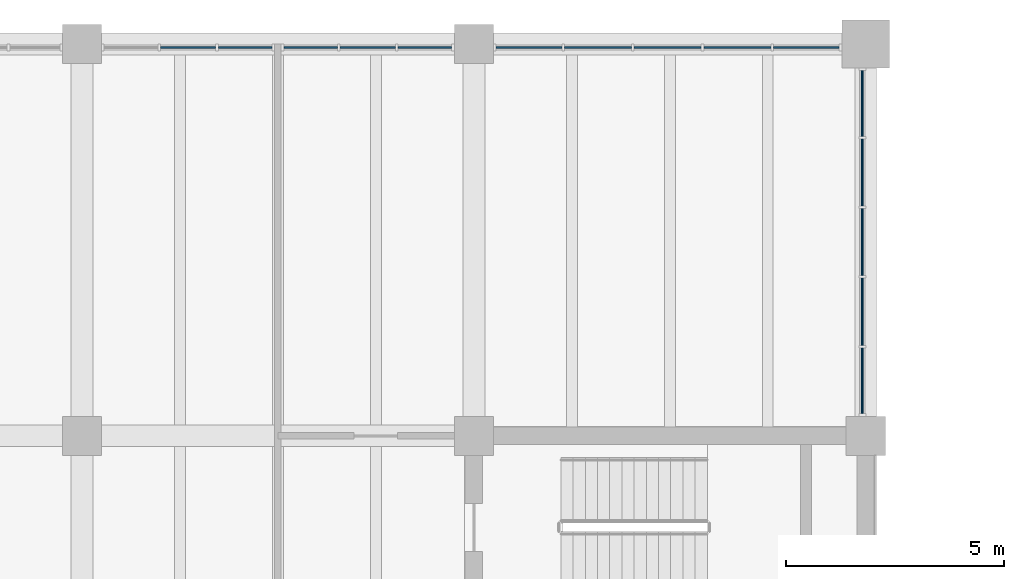
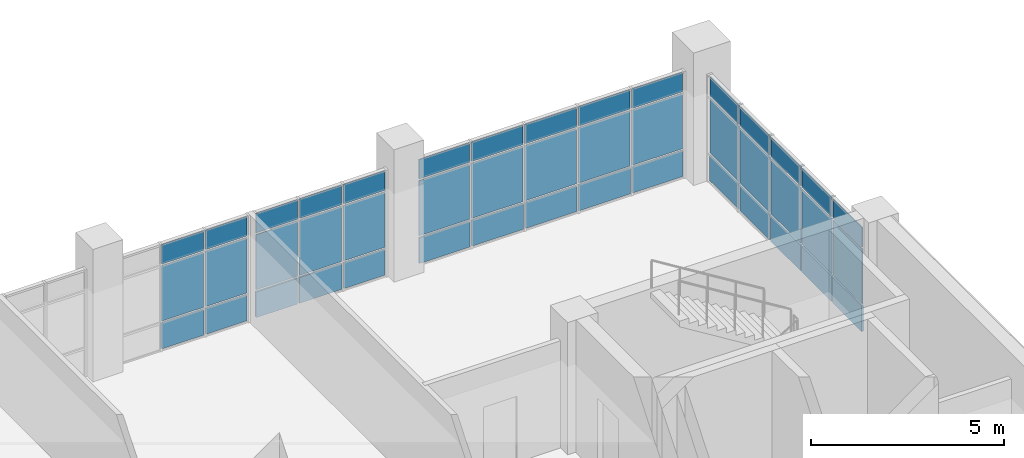
# One storey, part 46 of 92: 45 plates, 4 elements without a shape of their own.
"""IFC4 building model written with IfcOpenShell, lengths in metres."""

from ifc_helpers import new_model, si_unit, direction, frame, origin, origin_2d, place, context, subcontext, project, spatial, rectangle, extrude, material, layer, layer_set, type_object, element, aggregate, save


model = new_model("IFC4")

# Units and contexts
model_context = context("Model", 3, precision=1e-05, world=origin(), true_north=direction((0.0, 1.0)))
body_context = subcontext(model_context, "Body", "Model", "MODEL_VIEW")
ifc_project = project(units=[si_unit("LENGTHUNIT", "METRE"), si_unit("AREAUNIT", "SQUARE_METRE"), si_unit("VOLUMEUNIT", "CUBIC_METRE"), si_unit("PLANEANGLEUNIT", "RADIAN"), si_unit("MASSUNIT", "GRAM", prefix="KILO")], contexts=[model_context])

# Site, building, storey
site_placement = place(None, origin())
site = spatial("IfcSite", under=ifc_project, at=site_placement, CompositionType="ELEMENT")
building_placement = place(site_placement, origin())
building = spatial("IfcBuilding", under=site, at=building_placement, Name="Merrow Basin Faculty of Sciences", CompositionType="ELEMENT")
storey_placement = place(building_placement, frame((0.0, 0.0, 4.5)))
storey = spatial("IfcBuildingStorey", under=building, at=storey_placement, Name="L01", CompositionType="ELEMENT", Elevation=4.5)

# Curtain wall, plates
ifc_material_1 = material(Name="Aluminium alloy 6063", Category="aluminium")
curtain_wall_type = type_object("IfcCurtainWallType", Name="Unitised curtain wall 160", PredefinedType="NOTDEFINED", material=ifc_material_1)
curtain_wall_1_placement = place(storey_placement, origin())
curtain_wall_1 = element("IfcCurtainWall", 1, at=curtain_wall_1_placement, inside=storey, type_object=curtain_wall_type, Name="N curtain wall L01 4", PredefinedType="NOTDEFINED")
ifc_material_2 = material(Name="Insulated aluminium spandrel panel", Category="aluminium")
ifc_layer_1 = layer(ifc_material_2, 0.052001953125)
ifc_layer_set_1 = layer_set([ifc_layer_1], Name="Insulated spandrel panel 52")
plate_type_1 = type_object("IfcPlateType", Name="Insulated spandrel panel 52", PredefinedType="CURTAIN_PANEL", material=ifc_layer_set_1)
plate_1_placement = place(storey_placement, frame((38.4375, 168.919921875, 0.06005859375), z_axis=(0.0, 0.0, 1.0), x_axis=(1.0, 0.0, 0.0)))
plate_1 = element("IfcPlate", 2, at=plate_1_placement, type_object=plate_type_1, Name="CW3 panel 2.1", PredefinedType="CURTAIN_PANEL", context=body_context, shape_type="SweptSolid", body=[
    extrude(rectangle(XDim=1.264892578125, YDim=0.052001953125, at=origin_2d()), origin(), (0.0, 0.0, 1.0), 0.81005859375),
])
plate_2_placement = place(storey_placement, frame((39.74755859375, 168.919921875, 0.06005859375), z_axis=(0.0, 0.0, 1.0), x_axis=(1.0, 0.0, 0.0)))
plate_2 = element("IfcPlate", 3, at=plate_2_placement, type_object=plate_type_1, Name="CW3 panel 3.1", PredefinedType="CURTAIN_PANEL", context=body_context, shape_type="SweptSolid", body=[
    extrude(rectangle(XDim=1.235107421875, YDim=0.052001953125, at=origin_2d()), origin(), (0.0, 0.0, 1.0), 0.81005859375),
])

curtain_wall_2_placement = place(storey_placement, origin())
curtain_wall_2 = element("IfcCurtainWall", 4, at=curtain_wall_2_placement, inside=storey, type_object=curtain_wall_type, Name="N curtain wall L01 5", PredefinedType="NOTDEFINED")
plate_3_placement = place(storey_placement, frame((41.25244140625, 168.919921875, 0.06005859375), z_axis=(0.0, 0.0, 1.0), x_axis=(1.0, 0.0, 0.0)))
plate_3 = element("IfcPlate", 5, at=plate_3_placement, type_object=plate_type_1, Name="CW3 panel 1.1", PredefinedType="CURTAIN_PANEL", context=body_context, shape_type="SweptSolid", body=[
    extrude(rectangle(XDim=1.235107421875, YDim=0.052001953125, at=origin_2d()), origin(), (0.0, 0.0, 1.0), 0.81005859375),
])
plate_4_placement = place(storey_placement, frame((42.5625, 168.919921875, 0.06005859375), z_axis=(0.0, 0.0, 1.0), x_axis=(1.0, 0.0, 0.0)))
plate_4 = element("IfcPlate", 6, at=plate_4_placement, type_object=plate_type_1, Name="CW3 panel 2.1", PredefinedType="CURTAIN_PANEL", context=body_context, shape_type="SweptSolid", body=[
    extrude(rectangle(XDim=1.264892578125, YDim=0.052001953125, at=origin_2d()), origin(), (0.0, 0.0, 1.0), 0.81005859375),
])
plate_5_placement = place(storey_placement, frame((43.87255859375, 168.919921875, 0.06005859375), z_axis=(0.0, 0.0, 1.0), x_axis=(1.0, 0.0, 0.0)))
plate_5 = element("IfcPlate", 7, at=plate_5_placement, type_object=plate_type_1, Name="CW3 panel 3.1", PredefinedType="CURTAIN_PANEL", context=body_context, shape_type="SweptSolid", body=[
    extrude(rectangle(XDim=1.235107421875, YDim=0.052001953125, at=origin_2d()), origin(), (0.0, 0.0, 1.0), 0.81005859375),
])

curtain_wall_3_placement = place(storey_placement, origin())
curtain_wall_3 = element("IfcCurtainWall", 8, at=curtain_wall_3_placement, inside=storey, type_object=curtain_wall_type, Name="N curtain wall L01 6", PredefinedType="NOTDEFINED")
plate_6_placement = place(storey_placement, frame((46.264892578125, 168.919921875, 0.06005859375), z_axis=(0.0, 0.0, 1.0), x_axis=(1.0, 0.0, 0.0)))
plate_6 = element("IfcPlate", 9, at=plate_6_placement, type_object=plate_type_1, Name="CW3 panel 1.1", PredefinedType="CURTAIN_PANEL", context=body_context, shape_type="SweptSolid", body=[
    extrude(rectangle(XDim=1.510009765625, YDim=0.052001953125, at=origin_2d()), origin(), (0.0, 0.0, 1.0), 0.81005859375),
])
plate_7_placement = place(storey_placement, frame((47.85009765625, 168.919921875, 0.06005859375), z_axis=(0.0, 0.0, 1.0), x_axis=(1.0, 0.0, 0.0)))
plate_7 = element("IfcPlate", 10, at=plate_7_placement, type_object=plate_type_1, Name="CW3 panel 2.1", PredefinedType="CURTAIN_PANEL", context=body_context, shape_type="SweptSolid", body=[
    extrude(rectangle(XDim=1.5400390625, YDim=0.052001953125, at=origin_2d()), origin(), (0.0, 0.0, 1.0), 0.81005859375),
])
plate_8_placement = place(storey_placement, frame((49.449951171875, 168.919921875, 0.06005859375), z_axis=(0.0, 0.0, 1.0), x_axis=(1.0, 0.0, 0.0)))
plate_8 = element("IfcPlate", 11, at=plate_8_placement, type_object=plate_type_1, Name="CW3 panel 3.1", PredefinedType="CURTAIN_PANEL", context=body_context, shape_type="SweptSolid", body=[
    extrude(rectangle(XDim=1.5400390625, YDim=0.052001953125, at=origin_2d()), origin(), (0.0, 0.0, 1.0), 0.81005859375),
])
plate_9_placement = place(storey_placement, frame((51.050048828125, 168.919921875, 0.06005859375), z_axis=(0.0, 0.0, 1.0), x_axis=(1.0, 0.0, 0.0)))
plate_9 = element("IfcPlate", 12, at=plate_9_placement, type_object=plate_type_1, Name="CW3 panel 4.1", PredefinedType="CURTAIN_PANEL", context=body_context, shape_type="SweptSolid", body=[
    extrude(rectangle(XDim=1.5400390625, YDim=0.052001953125, at=origin_2d()), origin(), (0.0, 0.0, 1.0), 0.81005859375),
])
plate_10_placement = place(storey_placement, frame((52.635009765625, 168.919921875, 0.06005859375), z_axis=(0.0, 0.0, 1.0), x_axis=(1.0, 0.0, 0.0)))
plate_10 = element("IfcPlate", 13, at=plate_10_placement, type_object=plate_type_1, Name="CW3 panel 5.1", PredefinedType="CURTAIN_PANEL", context=body_context, shape_type="SweptSolid", body=[
    extrude(rectangle(XDim=1.510009765625, YDim=0.052001953125, at=origin_2d()), origin(), (0.0, 0.0, 1.0), 0.81005859375),
])

curtain_wall_4_placement = place(storey_placement, origin())
curtain_wall_4 = element("IfcCurtainWall", 14, at=curtain_wall_4_placement, inside=storey, type_object=curtain_wall_type, Name="E curtain wall L01 1", PredefinedType="NOTDEFINED")
plate_11_placement = place(storey_placement, frame((53.919921875, 161.264892578125, 0.06005859375), z_axis=(0.0, 0.0, 1.0), x_axis=(0.0, 1.0, 0.0)))
plate_11 = element("IfcPlate", 15, at=plate_11_placement, type_object=plate_type_1, Name="CW3 panel 1.1", PredefinedType="CURTAIN_PANEL", context=body_context, shape_type="SweptSolid", body=[
    extrude(rectangle(XDim=1.510009765625, YDim=0.052001953125, at=origin_2d()), origin(), (0.0, 0.0, 1.0), 0.81005859375),
])
plate_12_placement = place(storey_placement, frame((53.919921875, 162.85009765625, 0.06005859375), z_axis=(0.0, 0.0, 1.0), x_axis=(0.0, 1.0, 0.0)))
plate_12 = element("IfcPlate", 16, at=plate_12_placement, type_object=plate_type_1, Name="CW3 panel 2.1", PredefinedType="CURTAIN_PANEL", context=body_context, shape_type="SweptSolid", body=[
    extrude(rectangle(XDim=1.5400390625, YDim=0.052001953125, at=origin_2d()), origin(), (0.0, 0.0, 1.0), 0.81005859375),
])
plate_13_placement = place(storey_placement, frame((53.919921875, 164.449951171875, 0.06005859375), z_axis=(0.0, 0.0, 1.0), x_axis=(0.0, 1.0, 0.0)))
plate_13 = element("IfcPlate", 17, at=plate_13_placement, type_object=plate_type_1, Name="CW3 panel 3.1", PredefinedType="CURTAIN_PANEL", context=body_context, shape_type="SweptSolid", body=[
    extrude(rectangle(XDim=1.5400390625, YDim=0.052001953125, at=origin_2d()), origin(), (0.0, 0.0, 1.0), 0.81005859375),
])
plate_14_placement = place(storey_placement, frame((53.919921875, 166.050048828125, 0.06005859375), z_axis=(0.0, 0.0, 1.0), x_axis=(0.0, 1.0, 0.0)))
plate_14 = element("IfcPlate", 18, at=plate_14_placement, type_object=plate_type_1, Name="CW3 panel 4.1", PredefinedType="CURTAIN_PANEL", context=body_context, shape_type="SweptSolid", body=[
    extrude(rectangle(XDim=1.5400390625, YDim=0.052001953125, at=origin_2d()), origin(), (0.0, 0.0, 1.0), 0.81005859375),
])
plate_15_placement = place(storey_placement, frame((53.919921875, 167.635009765625, 0.06005859375), z_axis=(0.0, 0.0, 1.0), x_axis=(0.0, 1.0, 0.0)))
plate_15 = element("IfcPlate", 19, at=plate_15_placement, type_object=plate_type_1, Name="CW3 panel 5.1", PredefinedType="CURTAIN_PANEL", context=body_context, shape_type="SweptSolid", body=[
    extrude(rectangle(XDim=1.510009765625, YDim=0.052001953125, at=origin_2d()), origin(), (0.0, 0.0, 1.0), 0.81005859375),
])

# Plate
ifc_material_3 = material(Name="Low-E double glazing", Category="glass")
ifc_layer_2 = layer(ifc_material_3, 0.028076171875)
ifc_layer_set_2 = layer_set([ifc_layer_2], Name="Low-E double glazed panel 28")
plate_type_2 = type_object("IfcPlateType", Name="Low-E double glazed panel 28", PredefinedType="CURTAIN_PANEL", material=ifc_layer_set_2)
plate_16_placement = place(storey_placement, frame((38.4375, 168.919921875, 0.93017578125), z_axis=(0.0, 0.0, 1.0), x_axis=(1.0, 0.0, 0.0)))
plate_16 = element("IfcPlate", 20, at=plate_16_placement, type_object=plate_type_2, Name="CW3 panel 2.2", PredefinedType="CURTAIN_PANEL", context=body_context, shape_type="SweptSolid", body=[
    extrude(rectangle(XDim=1.264892578125, YDim=0.028076171875, at=origin_2d()), origin(), (0.0, 0.0, 1.0), 1.739990234375),
])

plate_17_placement = place(storey_placement, frame((38.4375, 168.919921875, 2.72998046875), z_axis=(0.0, 0.0, 1.0), x_axis=(1.0, 0.0, 0.0)))
plate_17 = element("IfcPlate", 21, at=plate_17_placement, type_object=plate_type_2, Name="CW3 panel 2.3", PredefinedType="CURTAIN_PANEL", context=body_context, shape_type="SweptSolid", body=[
    extrude(rectangle(XDim=1.264892578125, YDim=0.028076171875, at=origin_2d()), origin(), (0.0, 0.0, 1.0), 0.610107421875),
])

plate_18_placement = place(storey_placement, frame((39.74755859375, 168.919921875, 0.93017578125), z_axis=(0.0, 0.0, 1.0), x_axis=(1.0, 0.0, 0.0)))
plate_18 = element("IfcPlate", 22, at=plate_18_placement, type_object=plate_type_2, Name="CW3 panel 3.2", PredefinedType="CURTAIN_PANEL", context=body_context, shape_type="SweptSolid", body=[
    extrude(rectangle(XDim=1.235107421875, YDim=0.028076171875, at=origin_2d()), origin(), (0.0, 0.0, 1.0), 1.739990234375),
])

plate_19_placement = place(storey_placement, frame((39.74755859375, 168.919921875, 2.72998046875), z_axis=(0.0, 0.0, 1.0), x_axis=(1.0, 0.0, 0.0)))
plate_19 = element("IfcPlate", 23, at=plate_19_placement, type_object=plate_type_2, Name="CW3 panel 3.3", PredefinedType="CURTAIN_PANEL", context=body_context, shape_type="SweptSolid", body=[
    extrude(rectangle(XDim=1.235107421875, YDim=0.028076171875, at=origin_2d()), origin(), (0.0, 0.0, 1.0), 0.610107421875),
])

aggregate(curtain_wall_1, [plate_1, plate_16, plate_17, plate_2, plate_18, plate_19])

plate_20_placement = place(storey_placement, frame((41.25244140625, 168.919921875, 0.93017578125), z_axis=(0.0, 0.0, 1.0), x_axis=(1.0, 0.0, 0.0)))
plate_20 = element("IfcPlate", 24, at=plate_20_placement, type_object=plate_type_2, Name="CW3 panel 1.2", PredefinedType="CURTAIN_PANEL", context=body_context, shape_type="SweptSolid", body=[
    extrude(rectangle(XDim=1.235107421875, YDim=0.028076171875, at=origin_2d()), origin(), (0.0, 0.0, 1.0), 1.739990234375),
])

plate_21_placement = place(storey_placement, frame((41.25244140625, 168.919921875, 2.72998046875), z_axis=(0.0, 0.0, 1.0), x_axis=(1.0, 0.0, 0.0)))
plate_21 = element("IfcPlate", 25, at=plate_21_placement, type_object=plate_type_2, Name="CW3 panel 1.3", PredefinedType="CURTAIN_PANEL", context=body_context, shape_type="SweptSolid", body=[
    extrude(rectangle(XDim=1.235107421875, YDim=0.028076171875, at=origin_2d()), origin(), (0.0, 0.0, 1.0), 0.610107421875),
])

plate_22_placement = place(storey_placement, frame((42.5625, 168.919921875, 0.93017578125), z_axis=(0.0, 0.0, 1.0), x_axis=(1.0, 0.0, 0.0)))
plate_22 = element("IfcPlate", 26, at=plate_22_placement, type_object=plate_type_2, Name="CW3 panel 2.2", PredefinedType="CURTAIN_PANEL", context=body_context, shape_type="SweptSolid", body=[
    extrude(rectangle(XDim=1.264892578125, YDim=0.028076171875, at=origin_2d()), origin(), (0.0, 0.0, 1.0), 1.739990234375),
])

plate_23_placement = place(storey_placement, frame((42.5625, 168.919921875, 2.72998046875), z_axis=(0.0, 0.0, 1.0), x_axis=(1.0, 0.0, 0.0)))
plate_23 = element("IfcPlate", 27, at=plate_23_placement, type_object=plate_type_2, Name="CW3 panel 2.3", PredefinedType="CURTAIN_PANEL", context=body_context, shape_type="SweptSolid", body=[
    extrude(rectangle(XDim=1.264892578125, YDim=0.028076171875, at=origin_2d()), origin(), (0.0, 0.0, 1.0), 0.610107421875),
])

plate_24_placement = place(storey_placement, frame((43.87255859375, 168.919921875, 0.93017578125), z_axis=(0.0, 0.0, 1.0), x_axis=(1.0, 0.0, 0.0)))
plate_24 = element("IfcPlate", 28, at=plate_24_placement, type_object=plate_type_2, Name="CW3 panel 3.2", PredefinedType="CURTAIN_PANEL", context=body_context, shape_type="SweptSolid", body=[
    extrude(rectangle(XDim=1.235107421875, YDim=0.028076171875, at=origin_2d()), origin(), (0.0, 0.0, 1.0), 1.739990234375),
])

plate_25_placement = place(storey_placement, frame((43.87255859375, 168.919921875, 2.72998046875), z_axis=(0.0, 0.0, 1.0), x_axis=(1.0, 0.0, 0.0)))
plate_25 = element("IfcPlate", 29, at=plate_25_placement, type_object=plate_type_2, Name="CW3 panel 3.3", PredefinedType="CURTAIN_PANEL", context=body_context, shape_type="SweptSolid", body=[
    extrude(rectangle(XDim=1.235107421875, YDim=0.028076171875, at=origin_2d()), origin(), (0.0, 0.0, 1.0), 0.610107421875),
])

aggregate(curtain_wall_2, [plate_3, plate_20, plate_21, plate_4, plate_22, plate_23, plate_5, plate_24, plate_25])

plate_26_placement = place(storey_placement, frame((46.264892578125, 168.919921875, 0.93017578125), z_axis=(0.0, 0.0, 1.0), x_axis=(1.0, 0.0, 0.0)))
plate_26 = element("IfcPlate", 30, at=plate_26_placement, type_object=plate_type_2, Name="CW3 panel 1.2", PredefinedType="CURTAIN_PANEL", context=body_context, shape_type="SweptSolid", body=[
    extrude(rectangle(XDim=1.510009765625, YDim=0.028076171875, at=origin_2d()), origin(), (0.0, 0.0, 1.0), 1.739990234375),
])

plate_27_placement = place(storey_placement, frame((46.264892578125, 168.919921875, 2.72998046875), z_axis=(0.0, 0.0, 1.0), x_axis=(1.0, 0.0, 0.0)))
plate_27 = element("IfcPlate", 31, at=plate_27_placement, type_object=plate_type_2, Name="CW3 panel 1.3", PredefinedType="CURTAIN_PANEL", context=body_context, shape_type="SweptSolid", body=[
    extrude(rectangle(XDim=1.510009765625, YDim=0.028076171875, at=origin_2d()), origin(), (0.0, 0.0, 1.0), 0.610107421875),
])

plate_28_placement = place(storey_placement, frame((47.85009765625, 168.919921875, 0.93017578125), z_axis=(0.0, 0.0, 1.0), x_axis=(1.0, 0.0, 0.0)))
plate_28 = element("IfcPlate", 32, at=plate_28_placement, type_object=plate_type_2, Name="CW3 panel 2.2", PredefinedType="CURTAIN_PANEL", context=body_context, shape_type="SweptSolid", body=[
    extrude(rectangle(XDim=1.5400390625, YDim=0.028076171875, at=origin_2d()), origin(), (0.0, 0.0, 1.0), 1.739990234375),
])

plate_29_placement = place(storey_placement, frame((47.85009765625, 168.919921875, 2.72998046875), z_axis=(0.0, 0.0, 1.0), x_axis=(1.0, 0.0, 0.0)))
plate_29 = element("IfcPlate", 33, at=plate_29_placement, type_object=plate_type_2, Name="CW3 panel 2.3", PredefinedType="CURTAIN_PANEL", context=body_context, shape_type="SweptSolid", body=[
    extrude(rectangle(XDim=1.5400390625, YDim=0.028076171875, at=origin_2d()), origin(), (0.0, 0.0, 1.0), 0.610107421875),
])

plate_30_placement = place(storey_placement, frame((49.449951171875, 168.919921875, 0.93017578125), z_axis=(0.0, 0.0, 1.0), x_axis=(1.0, 0.0, 0.0)))
plate_30 = element("IfcPlate", 34, at=plate_30_placement, type_object=plate_type_2, Name="CW3 panel 3.2", PredefinedType="CURTAIN_PANEL", context=body_context, shape_type="SweptSolid", body=[
    extrude(rectangle(XDim=1.5400390625, YDim=0.028076171875, at=origin_2d()), origin(), (0.0, 0.0, 1.0), 1.739990234375),
])

plate_31_placement = place(storey_placement, frame((49.449951171875, 168.919921875, 2.72998046875), z_axis=(0.0, 0.0, 1.0), x_axis=(1.0, 0.0, 0.0)))
plate_31 = element("IfcPlate", 35, at=plate_31_placement, type_object=plate_type_2, Name="CW3 panel 3.3", PredefinedType="CURTAIN_PANEL", context=body_context, shape_type="SweptSolid", body=[
    extrude(rectangle(XDim=1.5400390625, YDim=0.028076171875, at=origin_2d()), origin(), (0.0, 0.0, 1.0), 0.610107421875),
])

plate_32_placement = place(storey_placement, frame((51.050048828125, 168.919921875, 0.93017578125), z_axis=(0.0, 0.0, 1.0), x_axis=(1.0, 0.0, 0.0)))
plate_32 = element("IfcPlate", 36, at=plate_32_placement, type_object=plate_type_2, Name="CW3 panel 4.2", PredefinedType="CURTAIN_PANEL", context=body_context, shape_type="SweptSolid", body=[
    extrude(rectangle(XDim=1.5400390625, YDim=0.028076171875, at=origin_2d()), origin(), (0.0, 0.0, 1.0), 1.739990234375),
])

plate_33_placement = place(storey_placement, frame((51.050048828125, 168.919921875, 2.72998046875), z_axis=(0.0, 0.0, 1.0), x_axis=(1.0, 0.0, 0.0)))
plate_33 = element("IfcPlate", 37, at=plate_33_placement, type_object=plate_type_2, Name="CW3 panel 4.3", PredefinedType="CURTAIN_PANEL", context=body_context, shape_type="SweptSolid", body=[
    extrude(rectangle(XDim=1.5400390625, YDim=0.028076171875, at=origin_2d()), origin(), (0.0, 0.0, 1.0), 0.610107421875),
])

plate_34_placement = place(storey_placement, frame((52.635009765625, 168.919921875, 0.93017578125), z_axis=(0.0, 0.0, 1.0), x_axis=(1.0, 0.0, 0.0)))
plate_34 = element("IfcPlate", 38, at=plate_34_placement, type_object=plate_type_2, Name="CW3 panel 5.2", PredefinedType="CURTAIN_PANEL", context=body_context, shape_type="SweptSolid", body=[
    extrude(rectangle(XDim=1.510009765625, YDim=0.028076171875, at=origin_2d()), origin(), (0.0, 0.0, 1.0), 1.739990234375),
])

plate_35_placement = place(storey_placement, frame((52.635009765625, 168.919921875, 2.72998046875), z_axis=(0.0, 0.0, 1.0), x_axis=(1.0, 0.0, 0.0)))
plate_35 = element("IfcPlate", 39, at=plate_35_placement, type_object=plate_type_2, Name="CW3 panel 5.3", PredefinedType="CURTAIN_PANEL", context=body_context, shape_type="SweptSolid", body=[
    extrude(rectangle(XDim=1.510009765625, YDim=0.028076171875, at=origin_2d()), origin(), (0.0, 0.0, 1.0), 0.610107421875),
])

aggregate(curtain_wall_3, [plate_6, plate_26, plate_27, plate_7, plate_28, plate_29, plate_8, plate_30, plate_31, plate_9, plate_32, plate_33, plate_10, plate_34, plate_35])

plate_36_placement = place(storey_placement, frame((53.919921875, 161.264892578125, 0.93017578125), z_axis=(0.0, 0.0, 1.0), x_axis=(0.0, 1.0, 0.0)))
plate_36 = element("IfcPlate", 40, at=plate_36_placement, type_object=plate_type_2, Name="CW3 panel 1.2", PredefinedType="CURTAIN_PANEL", context=body_context, shape_type="SweptSolid", body=[
    extrude(rectangle(XDim=1.510009765625, YDim=0.028076171875, at=origin_2d()), origin(), (0.0, 0.0, 1.0), 1.739990234375),
])

plate_37_placement = place(storey_placement, frame((53.919921875, 161.264892578125, 2.72998046875), z_axis=(0.0, 0.0, 1.0), x_axis=(0.0, 1.0, 0.0)))
plate_37 = element("IfcPlate", 41, at=plate_37_placement, type_object=plate_type_2, Name="CW3 panel 1.3", PredefinedType="CURTAIN_PANEL", context=body_context, shape_type="SweptSolid", body=[
    extrude(rectangle(XDim=1.510009765625, YDim=0.028076171875, at=origin_2d()), origin(), (0.0, 0.0, 1.0), 0.610107421875),
])

plate_38_placement = place(storey_placement, frame((53.919921875, 162.85009765625, 0.93017578125), z_axis=(0.0, 0.0, 1.0), x_axis=(0.0, 1.0, 0.0)))
plate_38 = element("IfcPlate", 42, at=plate_38_placement, type_object=plate_type_2, Name="CW3 panel 2.2", PredefinedType="CURTAIN_PANEL", context=body_context, shape_type="SweptSolid", body=[
    extrude(rectangle(XDim=1.5400390625, YDim=0.028076171875, at=origin_2d()), origin(), (0.0, 0.0, 1.0), 1.739990234375),
])

plate_39_placement = place(storey_placement, frame((53.919921875, 162.85009765625, 2.72998046875), z_axis=(0.0, 0.0, 1.0), x_axis=(0.0, 1.0, 0.0)))
plate_39 = element("IfcPlate", 43, at=plate_39_placement, type_object=plate_type_2, Name="CW3 panel 2.3", PredefinedType="CURTAIN_PANEL", context=body_context, shape_type="SweptSolid", body=[
    extrude(rectangle(XDim=1.5400390625, YDim=0.028076171875, at=origin_2d()), origin(), (0.0, 0.0, 1.0), 0.610107421875),
])

plate_40_placement = place(storey_placement, frame((53.919921875, 164.449951171875, 0.93017578125), z_axis=(0.0, 0.0, 1.0), x_axis=(0.0, 1.0, 0.0)))
plate_40 = element("IfcPlate", 44, at=plate_40_placement, type_object=plate_type_2, Name="CW3 panel 3.2", PredefinedType="CURTAIN_PANEL", context=body_context, shape_type="SweptSolid", body=[
    extrude(rectangle(XDim=1.5400390625, YDim=0.028076171875, at=origin_2d()), origin(), (0.0, 0.0, 1.0), 1.739990234375),
])

plate_41_placement = place(storey_placement, frame((53.919921875, 164.449951171875, 2.72998046875), z_axis=(0.0, 0.0, 1.0), x_axis=(0.0, 1.0, 0.0)))
plate_41 = element("IfcPlate", 45, at=plate_41_placement, type_object=plate_type_2, Name="CW3 panel 3.3", PredefinedType="CURTAIN_PANEL", context=body_context, shape_type="SweptSolid", body=[
    extrude(rectangle(XDim=1.5400390625, YDim=0.028076171875, at=origin_2d()), origin(), (0.0, 0.0, 1.0), 0.610107421875),
])

plate_42_placement = place(storey_placement, frame((53.919921875, 166.050048828125, 0.93017578125), z_axis=(0.0, 0.0, 1.0), x_axis=(0.0, 1.0, 0.0)))
plate_42 = element("IfcPlate", 46, at=plate_42_placement, type_object=plate_type_2, Name="CW3 panel 4.2", PredefinedType="CURTAIN_PANEL", context=body_context, shape_type="SweptSolid", body=[
    extrude(rectangle(XDim=1.5400390625, YDim=0.028076171875, at=origin_2d()), origin(), (0.0, 0.0, 1.0), 1.739990234375),
])

plate_43_placement = place(storey_placement, frame((53.919921875, 166.050048828125, 2.72998046875), z_axis=(0.0, 0.0, 1.0), x_axis=(0.0, 1.0, 0.0)))
plate_43 = element("IfcPlate", 47, at=plate_43_placement, type_object=plate_type_2, Name="CW3 panel 4.3", PredefinedType="CURTAIN_PANEL", context=body_context, shape_type="SweptSolid", body=[
    extrude(rectangle(XDim=1.5400390625, YDim=0.028076171875, at=origin_2d()), origin(), (0.0, 0.0, 1.0), 0.610107421875),
])

plate_44_placement = place(storey_placement, frame((53.919921875, 167.635009765625, 0.93017578125), z_axis=(0.0, 0.0, 1.0), x_axis=(0.0, 1.0, 0.0)))
plate_44 = element("IfcPlate", 48, at=plate_44_placement, type_object=plate_type_2, Name="CW3 panel 5.2", PredefinedType="CURTAIN_PANEL", context=body_context, shape_type="SweptSolid", body=[
    extrude(rectangle(XDim=1.510009765625, YDim=0.028076171875, at=origin_2d()), origin(), (0.0, 0.0, 1.0), 1.739990234375),
])

plate_45_placement = place(storey_placement, frame((53.919921875, 167.635009765625, 2.72998046875), z_axis=(0.0, 0.0, 1.0), x_axis=(0.0, 1.0, 0.0)))
plate_45 = element("IfcPlate", 49, at=plate_45_placement, type_object=plate_type_2, Name="CW3 panel 5.3", PredefinedType="CURTAIN_PANEL", context=body_context, shape_type="SweptSolid", body=[
    extrude(rectangle(XDim=1.510009765625, YDim=0.028076171875, at=origin_2d()), origin(), (0.0, 0.0, 1.0), 0.610107421875),
])

aggregate(curtain_wall_4, [plate_11, plate_36, plate_37, plate_12, plate_38, plate_39, plate_13, plate_40, plate_41, plate_14, plate_42, plate_43, plate_15, plate_44, plate_45])

save(model, "model.ifc")
